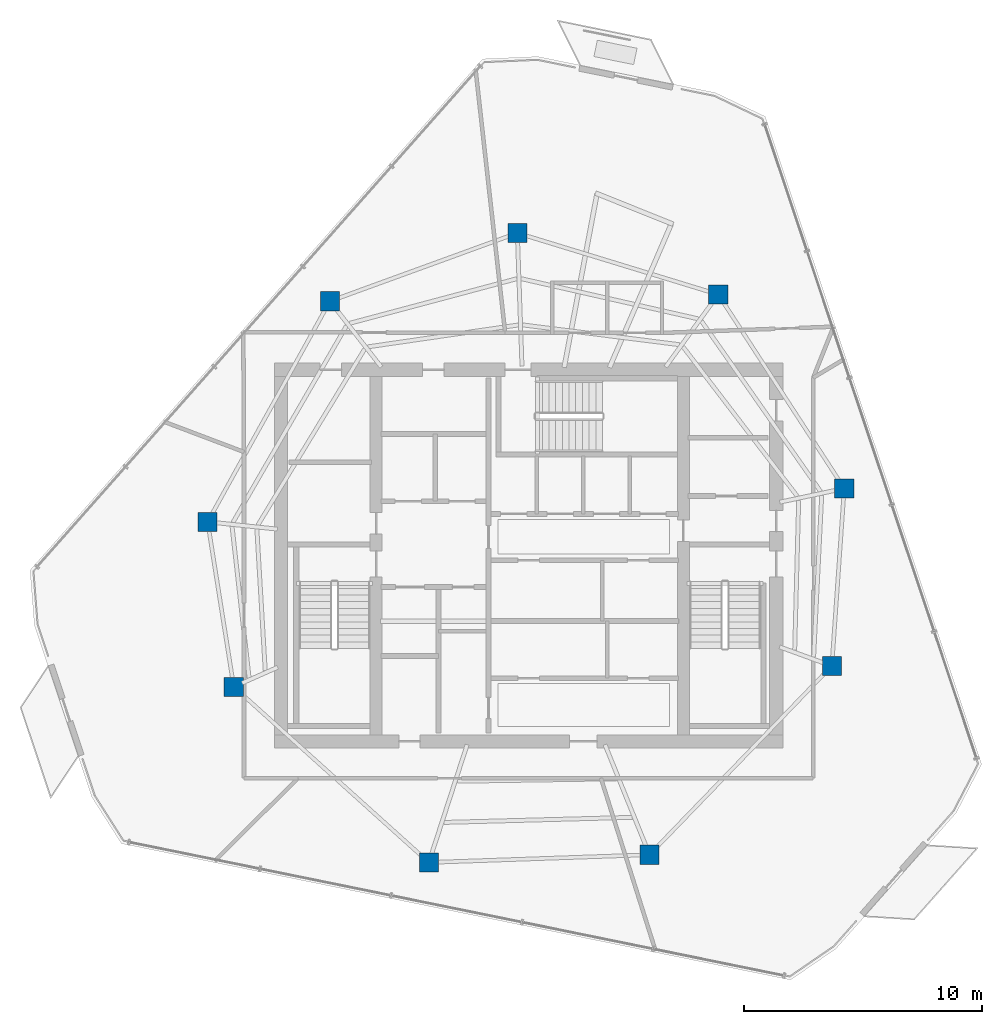
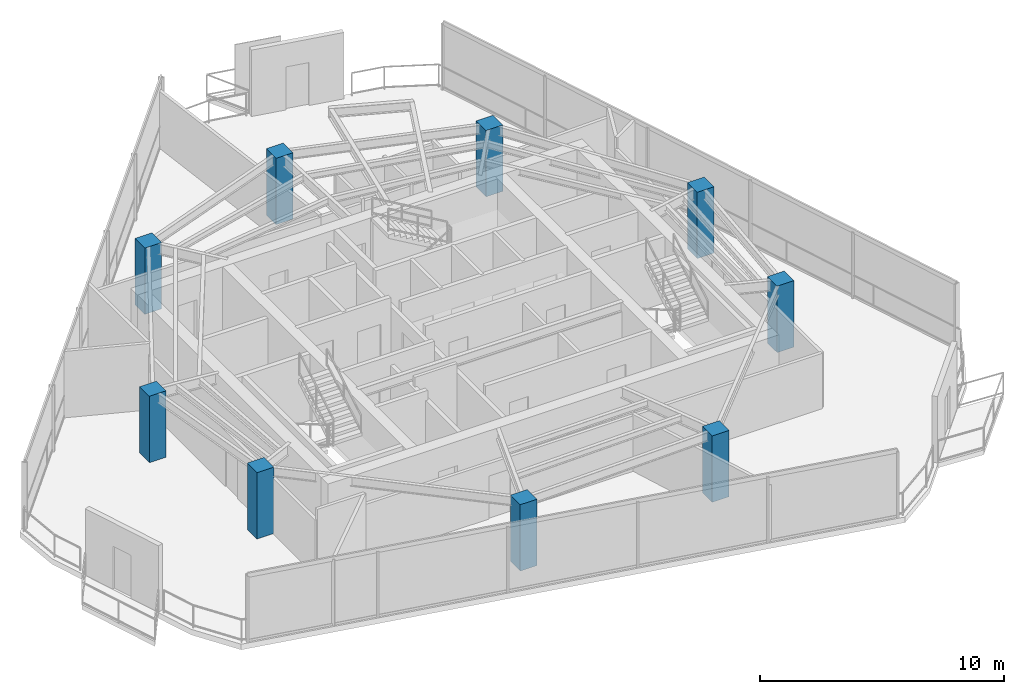
# One storey, part 1 of 18: 9 columns.
"""IFC4 building model written with IfcOpenShell, lengths in metres."""

import ifcopenshell
import ifcopenshell.guid

model = None  # the IFC model being written
_history = None  # IfcOwnerHistory: only IFC2X3 demands one
_inside = {}  # id of a spatial element -> (the spatial element, [elements in it])
_under = {}  # id of a project, library or spatial element -> (it, [spatial elements below it])
_declared = {}  # id of a project -> (the project, [libraries it declares])
_typed = {}  # id of a type object -> (the type object, [elements of that type])
_made_of = {}  # id of a material, layer set ... -> (it, [elements and type objects made of it])


def new_model(schema):
    """Start an empty IFC model of exactly this schema.

    Asked for "IFC4X3", IfcOpenShell would pick the latest addendum, in which some entities
    have other attributes; the version numbers below select the first issue.
    IFC2X3 requires an IfcOwnerHistory on every rooted entity: one is made here for all.
    """
    global model, _history
    if schema == "IFC4X3":
        model = ifcopenshell.file(schema_version=(4, 3, 0, 0))
    else:
        model = ifcopenshell.file(schema=schema)
    _inside.clear()
    _under.clear()
    _declared.clear()
    _typed.clear()
    _made_of.clear()
    _history = None
    if model.schema == "IFC2X3":
        org = make("IfcOrganization", Name="unknown")
        user = make(
            "IfcPersonAndOrganization",
            ThePerson=make("IfcPerson", FamilyName="unknown"),
            TheOrganization=org,
        )
        app = make(
            "IfcApplication",
            ApplicationDeveloper=org,
            Version="unknown",
            ApplicationFullName="unknown",
            ApplicationIdentifier="unknown",
        )
        _history = make(
            "IfcOwnerHistory",
            OwningUser=user,
            OwningApplication=app,
            ChangeAction="ADDED",
            CreationDate=0,
        )
    return model


def make(cls, **values):
    """One entity of the class cls with the attributes given. An attribute that is None is left unset."""
    return model.create_entity(
        cls, **{name: value for name, value in values.items() if value is not None}
    )


def rooted(cls, **values):
    """An entity with a GlobalId (a new one), such as an element, a storey or a relation."""
    return make(cls, GlobalId=ifcopenshell.guid.new(), OwnerHistory=_history, **values)


def si_unit(unit_type, name, prefix=None):
    """IfcSIUnit, for example si_unit("LENGTHUNIT", "METRE", prefix="MILLI")."""
    return make("IfcSIUnit", UnitType=unit_type, Prefix=prefix, Name=name)


def assignment(units):
    """IfcUnitAssignment: the units of a project."""
    return None if units is None else make("IfcUnitAssignment", Units=units)


def point(xyz):
    """IfcCartesianPoint."""
    return None if xyz is None else make("IfcCartesianPoint", Coordinates=xyz)


def direction(xyz):
    """IfcDirection."""
    return None if xyz is None else make("IfcDirection", DirectionRatios=xyz)


def frame(location, z_axis=None, x_axis=None):
    """IfcAxis2Placement3D, a coordinate frame: its origin and axes. An axis left out is left unset."""
    return make(
        "IfcAxis2Placement3D",
        Location=point(location),
        Axis=direction(z_axis),
        RefDirection=direction(x_axis),
    )


def frame_2d(location, x_axis=None):
    """IfcAxis2Placement2D, a coordinate frame in the plane: its origin and x axis."""
    return make(
        "IfcAxis2Placement2D", Location=point(location), RefDirection=direction(x_axis)
    )


def origin():
    """The frame at (0, 0, 0) with its axes left unset."""
    return frame((0.0, 0.0, 0.0))


def origin_2d():
    """The frame at (0, 0) in the plane with its x axis left unset."""
    return frame_2d((0.0, 0.0))


def place(relative_to, where):
    """IfcLocalPlacement: puts the frame where relative to a parent placement (None: the world)."""
    return make(
        "IfcLocalPlacement", PlacementRelTo=relative_to, RelativePlacement=where
    )


def context(
    kind, dimensions, precision=None, world=None, true_north=None, identifier=None
):
    """IfcGeometricRepresentationContext, for example the 3D "Model" context."""
    return make(
        "IfcGeometricRepresentationContext",
        ContextIdentifier=identifier,
        ContextType=kind,
        CoordinateSpaceDimension=dimensions,
        Precision=precision,
        WorldCoordinateSystem=world,
        TrueNorth=true_north,
    )


def subcontext(parent, identifier, kind, view, scale=None):
    """IfcGeometricRepresentationSubContext, for example "Body" below "Model"."""
    return make(
        "IfcGeometricRepresentationSubContext",
        ContextIdentifier=identifier,
        ContextType=kind,
        ParentContext=parent,
        TargetScale=scale,
        TargetView=view,
    )


def project(units=None, contexts=None):
    """IfcProject with its units and contexts."""
    return rooted(
        "IfcProject",
        Name="project",
        RepresentationContexts=contexts,
        UnitsInContext=assignment(units),
    )


def spatial(cls, under=None, at=None, **own):
    """A site, building, storey or space (cls), placed at a placement, below another one or the project."""
    s = rooted(cls, ObjectPlacement=at, **own)
    if under is not None:
        _under.setdefault(under.id(), (under, []))[1].append(s)
    return s


def profile(cls, at=None, kind="AREA", **sizes):
    """A parametric profile (cls). Its sizes go by their IFC names, for example OverallWidth=200.0."""
    return make(cls, ProfileType=kind, Position=at, **sizes)


def rectangle(**sizes):
    """IfcRectangleProfileDef."""
    return profile("IfcRectangleProfileDef", **sizes)


def extrude(swept, where, along, depth):
    """IfcExtrudedAreaSolid: the profile swept, set in the frame where, extruded along a direction by depth."""
    return make(
        "IfcExtrudedAreaSolid",
        SweptArea=swept,
        Position=where,
        ExtrudedDirection=direction(along),
        Depth=depth,
    )


def shape(context_of_items, identifier, shape_type, items):
    """IfcShapeRepresentation: the items that make up one representation, for example the "Body"."""
    return make(
        "IfcShapeRepresentation",
        ContextOfItems=context_of_items,
        RepresentationIdentifier=identifier,
        RepresentationType=shape_type,
        Items=items,
    )


def material(Name=None, Category=None):
    """IfcMaterial."""
    return make("IfcMaterial", Name=Name, Category=Category)


def material_profile(
    of_material, cross_section, Name=None, Category=None, Priority=None
):
    """IfcMaterialProfile: a cross section and its material."""
    return make(
        "IfcMaterialProfile",
        Name=Name,
        Material=of_material,
        Profile=cross_section,
        Priority=Priority,
        Category=Category,
    )


def profile_set(profiles, Name=None, composite=None):
    """IfcMaterialProfileSet."""
    return make(
        "IfcMaterialProfileSet",
        Name=Name,
        MaterialProfiles=profiles,
        CompositeProfile=composite,
    )


def made_of(thing, what):
    """Note that an element or type object is made of a material, layer set ...; save() writes the relation."""
    if what is not None:
        _made_of.setdefault(what.id(), (what, []))[1].append(thing)
    return thing


def type_object(cls, material=None, **own):
    """A type object (cls), such as IfcWallType, which elements share."""
    return made_of(rooted(cls, **own), material)


def element(
    cls,
    number,
    at=None,
    inside=None,
    cuts=None,
    type_object=None,
    material=None,
    context=None,
    identifier="Body",
    shape_type=None,
    held_by="IfcProductDefinitionShape",
    body=None,
    shapes=None,
    **own,
):
    """One element of the class cls, such as IfcWall. Its Tag is "e" and its number.

    at: its placement. inside: the storey or other place that contains it. cuts: it is an
    opening in that element (IfcRelVoidsElement). A single representation is given by context,
    identifier, shape_type and body (its items); several are given by shapes. held_by: the class
    of the entity that holds the representations. save() writes the other relations.
    """
    e = rooted(cls, Tag="e%d" % number, ObjectPlacement=at, **own)
    if body is not None:
        shapes = [shape(context, identifier, shape_type, body)]
    if shapes is not None:
        e.Representation = make(held_by, Representations=shapes)
    if inside is not None:
        _inside.setdefault(inside.id(), (inside, []))[1].append(e)
    if cuts is not None:
        rooted(
            "IfcRelVoidsElement", RelatingBuildingElement=cuts, RelatedOpeningElement=e
        )
    if type_object is not None:
        _typed.setdefault(type_object.id(), (type_object, []))[1].append(e)
    return made_of(e, material)


def aggregate(whole, parts):
    """IfcRelAggregates: a whole, such as a stair, and the parts it consists of."""
    return rooted("IfcRelAggregates", RelatingObject=whole, RelatedObjects=parts)


def save(model, path):
    """Write the relations noted so far, then the file.

    IfcRelAggregates (storeys below a building ...), IfcRelContainedInSpatialStructure (elements
    in a storey), IfcRelDefinesByType, IfcRelAssociatesMaterial and IfcRelDeclares: one each for
    every whole, place, type object, material and project.
    """
    for whole, parts in _under.values():
        aggregate(whole, parts)
    for where, things in _inside.values():
        rooted(
            "IfcRelContainedInSpatialStructure",
            RelatedElements=things,
            RelatingStructure=where,
        )
    for kind, things in _typed.values():
        rooted("IfcRelDefinesByType", RelatedObjects=things, RelatingType=kind)
    for what, things in _made_of.values():
        rooted("IfcRelAssociatesMaterial", RelatedObjects=things, RelatingMaterial=what)
    for by, libraries in _declared.values():
        rooted("IfcRelDeclares", RelatingContext=by, RelatedDefinitions=libraries)
    model.write(path)


model = new_model("IFC4")

# Units and contexts
model_context = context("Model", 3, precision=1e-05, world=origin(), true_north=direction((0.0, 1.0)))
body_context = subcontext(model_context, "Body", "Model", "MODEL_VIEW")
ifc_project = project(units=[si_unit("LENGTHUNIT", "METRE"), si_unit("AREAUNIT", "SQUARE_METRE"), si_unit("VOLUMEUNIT", "CUBIC_METRE"), si_unit("PLANEANGLEUNIT", "RADIAN"), si_unit("MASSUNIT", "GRAM", prefix="KILO")], contexts=[model_context])

# Site, building, storey
site_placement = place(None, origin())
site = spatial("IfcSite", under=ifc_project, at=site_placement, CompositionType="ELEMENT")
building_placement = place(site_placement, origin())
building = spatial("IfcBuilding", under=site, at=building_placement, Name="Qarnah Convention Tower", CompositionType="ELEMENT")
storey_placement = place(building_placement, frame((0.0, 0.0, 249.89990234375)))
storey = spatial("IfcBuildingStorey", under=building, at=storey_placement, Name="L67", CompositionType="ELEMENT", Elevation=249.89990234375)

# Columns
ifc_material = material(Name="Concrete C50/60", Category="concrete")
ifc_material_profile = material_profile(ifc_material, rectangle(XDim=0.800048828125, YDim=0.800048828125, at=origin_2d()), Name="RC-COL-800X800")
ifc_profile_set = profile_set([ifc_material_profile], Name="Concrete C50/60")
column_type = type_object("IfcColumnType", Name="COL-Z5-800", PredefinedType="COLUMN", material=ifc_profile_set)
for number, where, z_axis, x_axis, name in (
    (1, (50.4541015625, 29.217041015625, 0.0), (0.0, 0.0, 1.0), (1.0, 0.0, 0.0), "L67 plumb column PC-Z5-01"),
    (2, (45.1640625, 37.362060546875, 0.0), (0.0, 0.0, 1.0), (1.0, 0.0, 0.0), "L67 plumb column PC-Z5-02"),
    (3, (36.72705078125, 39.94189453125, 0.0), (0.0, 0.0, 1.0), (1.0, 0.0, 0.0), "L67 plumb column PC-Z5-03"),
    (4, (28.85791015625, 37.077880859375, 0.0), (0.0, 0.0, 1.0), (1.0, 0.0, 0.0), "L67 plumb column PC-Z5-04"),
    (5, (23.72412109375, 27.81591796875, 0.0), (0.0, 0.0, 1.0), (1.0, 0.0, 0.0), "L67 plumb column PC-Z5-05"),
    (6, (24.821044921875, 20.888916015625, 0.0), (0.0, 0.0, 1.0), (1.0, 0.0, 0.0), "L67 plumb column PC-Z5-06"),
    (7, (33.012939453125, 13.512939453125, 0.0), (0.0, 0.0, 1.0), (1.0, 0.0, 0.0), "L67 plumb column PC-Z5-07"),
    (8, (42.27587890625, 13.8369140625, 0.0), (0.0, 0.0, 1.0), (1.0, 0.0, 0.0), "L67 plumb column PC-Z5-08"),
    (9, (49.93310546875, 21.76611328125, 0.0), (0.0, 0.0, 1.0), (1.0, 0.0, 0.0), "L67 plumb column PC-Z5-09"),
):
    element("IfcColumn", number, at=place(storey_placement, frame(where, z_axis=z_axis, x_axis=x_axis)), inside=storey, type_object=column_type, Name=name, PredefinedType="COLUMN", context=body_context, shape_type="SweptSolid", body=[
        extrude(rectangle(XDim=0.800048828125, YDim=0.800048828125, at=origin_2d()), origin(), (0.0, 0.0, 1.0), 3.320068359375),
    ])

save(model, "model.ifc")
